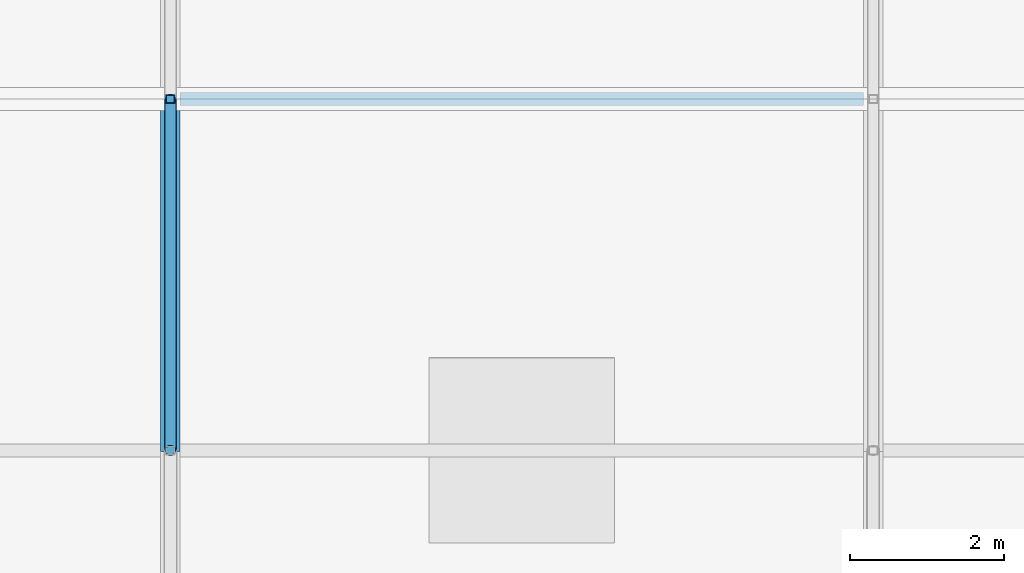
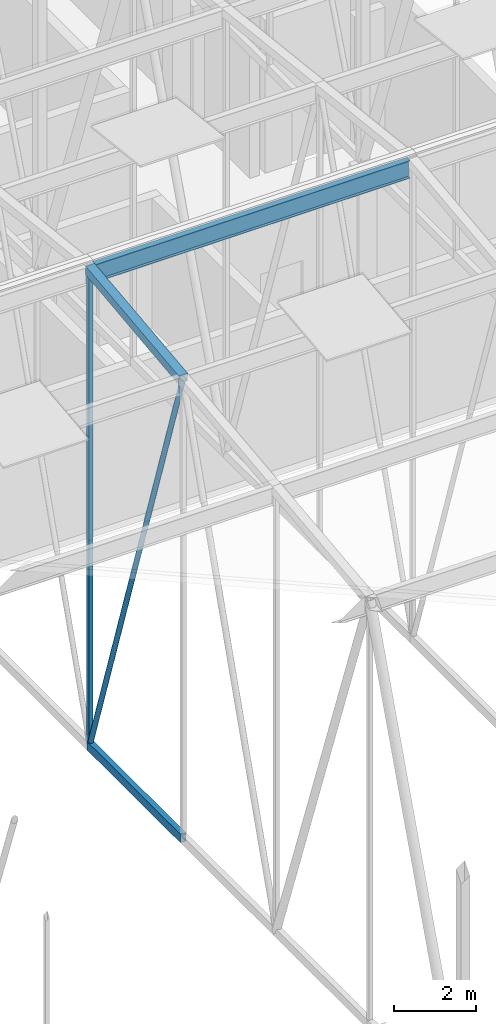
# One storey, part 72 of 500: 5 members.
"""IFC4 building model written with IfcOpenShell, lengths in metres."""

from ifc_helpers import new_model, si_unit, direction, frame, origin, origin_2d, place, context, subcontext, project, spatial, hollow_rectangle, hollow_circle, i_section, extrude, material, material_profile, profile_set, type_object, element, save


model = new_model("IFC4")

# Units and contexts
model_context = context("Model", 3, precision=1e-05, world=origin(), true_north=direction((0.0, 1.0)))
body_context = subcontext(model_context, "Body", "Model", "MODEL_VIEW")
ifc_project = project(units=[si_unit("LENGTHUNIT", "METRE"), si_unit("AREAUNIT", "SQUARE_METRE"), si_unit("VOLUMEUNIT", "CUBIC_METRE"), si_unit("PLANEANGLEUNIT", "RADIAN"), si_unit("MASSUNIT", "GRAM", prefix="KILO")], contexts=[model_context])

# Site, building, storey
site_placement = place(None, origin())
site = spatial("IfcSite", under=ifc_project, at=site_placement, CompositionType="ELEMENT")
building_placement = place(site_placement, origin())
building = spatial("IfcBuilding", under=site, at=building_placement, Name="Shirokan Park Arena", CompositionType="ELEMENT")
storey_placement = place(building_placement, frame((0.0, 0.0, 29.1201171875)))
storey = spatial("IfcBuildingStorey", under=building, at=storey_placement, Name="L06", CompositionType="ELEMENT", Elevation=29.1201171875)

# Members
ifc_material_1 = material(Name="Steel ASTM A500 Grade C", Category="steel")
ifc_material_profile_1 = material_profile(ifc_material_1, hollow_rectangle(XDim=0.152099609375, YDim=0.25390625, WallThickness=0.009521484375, at=origin_2d()), Name="HSS254X152.4X9.5")
ifc_profile_set_1 = profile_set([ifc_material_profile_1], Name="Steel ASTM A500 Grade C")
member_type_1 = type_object("IfcMemberType", Name="Bottom chord HSS254X152.4X9.5", PredefinedType="CHORD", material=ifc_profile_set_1)
member_1_placement = place(storey_placement, frame((18.199951171875, 50.050048828125, 4.677001953125), z_axis=(0.0, 1.0, 0.0), x_axis=(-1.0, 0.0, 0.0)))
element("IfcMember", 1, at=member_1_placement, inside=storey, type_object=member_type_1, Name="Truss T03 bottom chord 14", PredefinedType="CHORD", context=body_context, shape_type="SweptSolid", body=[
    extrude(hollow_rectangle(XDim=0.152099609375, YDim=0.25390625, WallThickness=0.009521484375, at=origin_2d()), origin(), (0.0, 0.0, 1.0), 4.550048828125),
])
ifc_material_2 = material(Name="Steel ASTM A992", Category="steel")
ifc_material_profile_2 = material_profile(ifc_material_2, i_section(OverallWidth=0.166015625, OverallDepth=0.528076171875, WebThickness=0.009765625, FlangeThickness=0.013671875, at=origin_2d()), Name="W530X74")
ifc_profile_set_2 = profile_set([ifc_material_profile_2], Name="Steel ASTM A992")
member_type_2 = type_object("IfcMemberType", Name="Purlin W530X74", PredefinedType="PURLIN", material=ifc_profile_set_2)
member_2_placement = place(storey_placement, frame((18.326904296875, 54.60009765625, 18.725830078125), z_axis=(1.0, 0.0, 0.0), x_axis=(0.0, 1.0, 0.0)))
element("IfcMember", 2, at=member_2_placement, inside=storey, type_object=member_type_2, Name="Purlin 15 bay 3", PredefinedType="PURLIN", context=body_context, shape_type="SweptSolid", body=[
    extrude(i_section(OverallWidth=0.166015625, OverallDepth=0.528076171875, WebThickness=0.009765625, FlangeThickness=0.013671875, at=origin_2d()), origin(), (0.0, 0.0, 1.0), 8.84619140625),
])
ifc_material_profile_3 = material_profile(ifc_material_1, hollow_rectangle(XDim=0.25390625, YDim=0.25390625, WallThickness=0.009521484375, at=origin_2d()), Name="HSS254X254X9.5")
ifc_profile_set_3 = profile_set([ifc_material_profile_3], Name="Steel ASTM A500 Grade C")
member_type_3 = type_object("IfcMemberType", Name="Top chord HSS254X254X9.5", PredefinedType="CHORD", material=ifc_profile_set_3)
member_3_placement = place(storey_placement, frame((18.199951171875, 50.050048828125, 18.3427734375), z_axis=(0.0, 0.993532328996, 0.113549598152), x_axis=(-1.0, 0.0, 0.0)))
element("IfcMember", 3, at=member_3_placement, inside=storey, type_object=member_type_3, Name="Truss T03 top chord 14", PredefinedType="CHORD", context=body_context, shape_type="SweptSolid", body=[
    extrude(hollow_rectangle(XDim=0.25390625, YDim=0.25390625, WallThickness=0.009521484375, at=origin_2d()), origin(), (0.0, 0.0, 1.0), 4.57958984375),
])
ifc_material_profile_4 = material_profile(ifc_material_1, hollow_circle(Radius=0.070556640625, WallThickness=0.006591796875, at=origin_2d()), Name="HSS141.3X6.6")
ifc_profile_set_4 = profile_set([ifc_material_profile_4], Name="Steel ASTM A500 Grade C")
member_type_4 = type_object("IfcMemberType", Name="Truss diagonal HSS141.3X6.6", PredefinedType="BRACE", material=ifc_profile_set_4)
member_4_placement = place(storey_placement, frame((18.199951171875, 50.050048828125, 18.3427734375), z_axis=(0.0, 0.315902302102, -0.948791723998), x_axis=(-1.0, 0.0, 0.0)))
element("IfcMember", 4, at=member_4_placement, inside=storey, type_object=member_type_4, Name="Truss T03 diagonal 14", PredefinedType="BRACE", context=body_context, shape_type="SweptSolid", body=[
    extrude(hollow_circle(Radius=0.070556640625, WallThickness=0.006591796875, at=origin_2d()), origin(), (0.0, 0.0, 1.0), 14.4033203125),
])
ifc_material_profile_5 = material_profile(ifc_material_1, hollow_rectangle(XDim=0.114013671875, YDim=0.114013671875, WallThickness=0.00634765625, at=origin_2d()), Name="HSS114.3X114.3X6.4")
ifc_profile_set_5 = profile_set([ifc_material_profile_5], Name="Steel ASTM A500 Grade C")
member_type_5 = type_object("IfcMemberType", Name="Truss post HSS114.3X114.3X6.4", PredefinedType="POST", material=ifc_profile_set_5)
member_5_placement = place(storey_placement, frame((18.199951171875, 54.60009765625, 4.677001953125), z_axis=(0.0, 0.0, 1.0), x_axis=(1.0, 0.0, 0.0)))
element("IfcMember", 5, at=member_5_placement, inside=storey, type_object=member_type_5, Name="Truss T03 post 15", PredefinedType="POST", context=body_context, shape_type="SweptSolid", body=[
    extrude(hollow_rectangle(XDim=0.114013671875, YDim=0.114013671875, WallThickness=0.00634765625, at=origin_2d()), origin(), (0.0, 0.0, 1.0), 14.185791015625),
])

save(model, "model.ifc")
